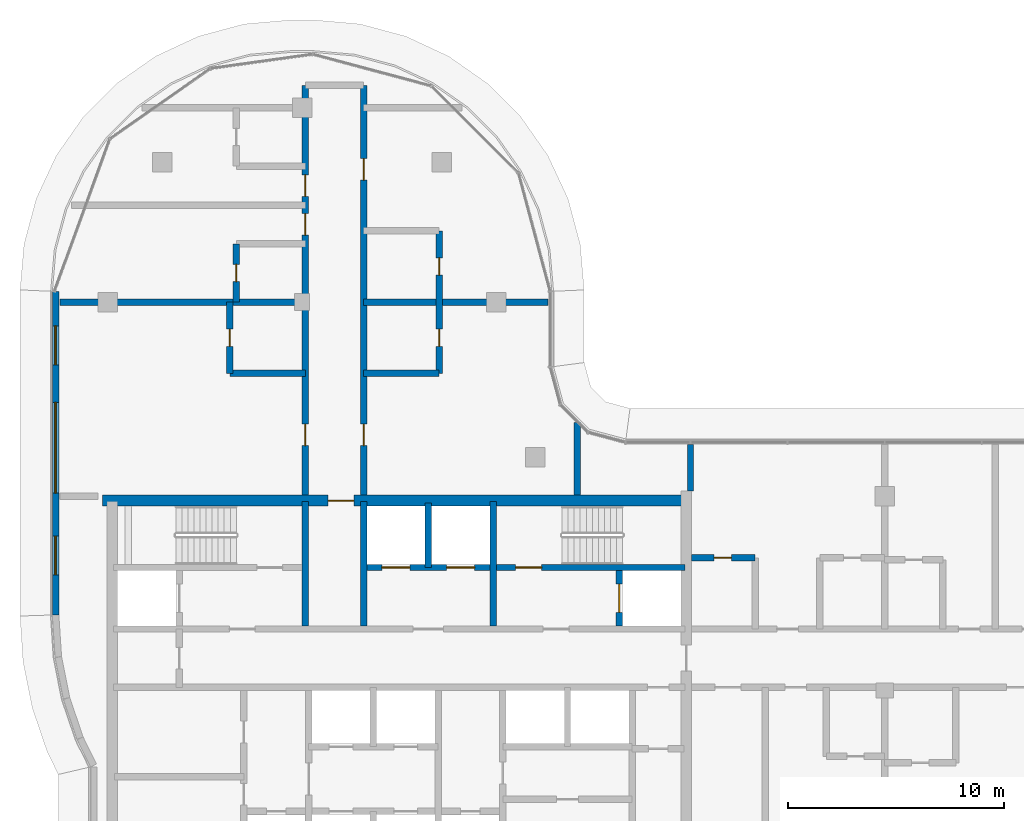
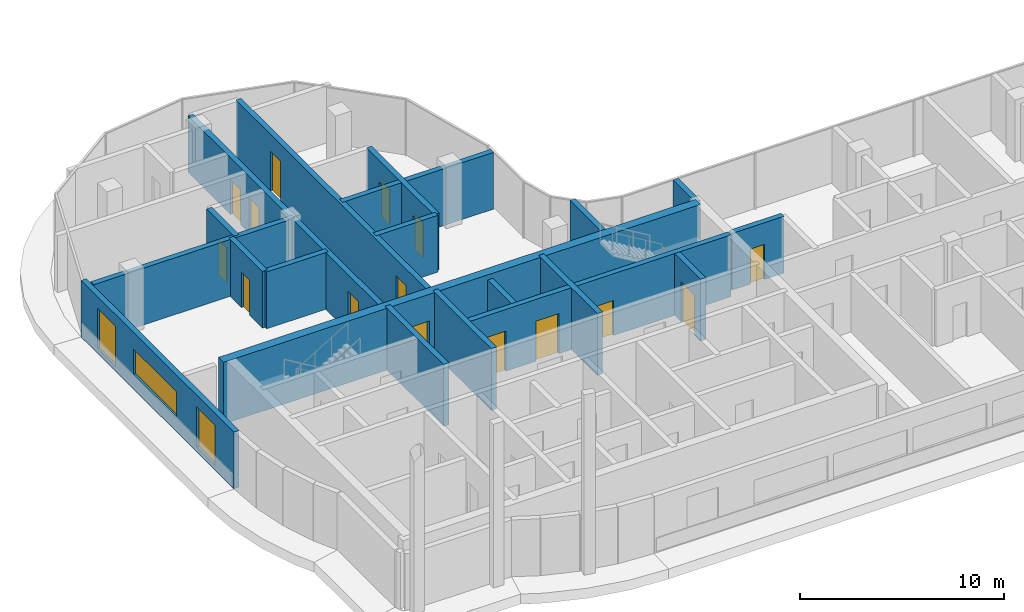
# One storey, part 10 of 20: 20 walls, 15 doors, 3 windows, 18 openings.
"""IFC4 building model written with IfcOpenShell, lengths in metres."""

from ifc_helpers import new_model, si_unit, direction, frame, frame_2d, origin, place, context, subcontext, project, spatial, rectangle, extrude, material, layer, layer_set, type_object, element, fill, save


model = new_model("IFC4")

# Units and contexts
model_context = context("Model", 3, precision=1e-05, world=origin(), true_north=direction((0.0, 1.0)))
body_context = subcontext(model_context, "Body", "Model", "MODEL_VIEW")
ifc_project = project(units=[si_unit("LENGTHUNIT", "METRE"), si_unit("AREAUNIT", "SQUARE_METRE"), si_unit("VOLUMEUNIT", "CUBIC_METRE"), si_unit("PLANEANGLEUNIT", "RADIAN"), si_unit("MASSUNIT", "GRAM", prefix="KILO")], contexts=[model_context])

# Site, building, storey
site_placement = place(None, origin())
site = spatial("IfcSite", under=ifc_project, at=site_placement, CompositionType="ELEMENT")
building_placement = place(site_placement, origin())
building = spatial("IfcBuilding", under=site, at=building_placement, Name="Ogive Portal Towers", CompositionType="ELEMENT")
storey_placement = place(building_placement, frame((0.0, 0.0, 232.800048828125)))
storey = spatial("IfcBuildingStorey", under=building, at=storey_placement, Name="L58", CompositionType="ELEMENT", Elevation=232.800048828125)

# Wall, openings, doors
ifc_material_1 = material(Name="Concrete C60/75", Category="concrete")
ifc_layer_1 = layer(ifc_material_1, 0.300048828125)
ifc_layer_set_1 = layer_set([ifc_layer_1], Name="CORE WALL 300 C60")
wall_type_1 = type_object("IfcWallType", Name="CORE WALL 300 C60", PredefinedType="SHEAR", material=ifc_layer_set_1)
wall_1_placement = place(storey_placement, frame((43.5, 36.199951171875, 0.0), z_axis=(0.0, 0.0, 1.0), x_axis=(1.0, 0.0, 0.0)))
wall_1 = element("IfcWall", 1, at=wall_1_placement, inside=storey, type_object=wall_type_1, Name="Core wall Y3b L58", PredefinedType="SHEAR", context=body_context, shape_type="SweptSolid", body=[
    extrude(rectangle(XDim=14.75, YDim=0.300048828125, at=frame_2d((7.375, 0.0))), origin(), (0.0, 0.0, 1.0), 3.699951171875),
])
opening_1_placement = place(wall_1_placement, frame((6.89990234375, 0.0, 0.0)))
opening_1 = element("IfcOpeningElement", 2, at=opening_1_placement, cuts=wall_1, Name="Opening D26-006", PredefinedType="OPENING", context=body_context, shape_type="SweptSolid", body=[
    extrude(rectangle(XDim=1.199951171875, YDim=2.10009765625, at=frame_2d((0.60009765625, 1.050048828125))), frame((0.0, 0.16015625, 0.0), z_axis=(0.0, -1.0, 0.0), x_axis=(1.0, 0.0, 0.0)), (0.0, 0.0, 1.0), 0.320068359375),
])
opening_2_placement = place(wall_1_placement, frame((0.699951171875, 0.0, 0.0)))
opening_2 = element("IfcOpeningElement", 3, at=opening_2_placement, cuts=wall_1, Name="Opening D26-017", PredefinedType="OPENING", context=body_context, shape_type="SweptSolid", body=[
    extrude(rectangle(XDim=1.300048828125, YDim=2.39990234375, at=frame_2d((0.64990234375, 1.199951171875))), frame((0.0, 0.16015625, 0.0), z_axis=(0.0, -1.0, 0.0), x_axis=(1.0, 0.0, 0.0)), (0.0, 0.0, 1.0), 0.320068359375),
])
opening_3_placement = place(wall_1_placement, frame((3.699951171875, 0.0, 0.0)))
opening_3 = element("IfcOpeningElement", 4, at=opening_3_placement, cuts=wall_1, Name="Opening D26-018", PredefinedType="OPENING", context=body_context, shape_type="SweptSolid", body=[
    extrude(rectangle(XDim=1.300048828125, YDim=2.39990234375, at=frame_2d((0.64990234375, 1.199951171875))), frame((0.0, 0.16015625, 0.0), z_axis=(0.0, -1.0, 0.0), x_axis=(1.0, 0.0, 0.0)), (0.0, 0.0, 1.0), 0.320068359375),
])
ifc_material_2 = material(Name="Stainless steel", Category="steel")
door_type_1 = type_object("IfcDoorType", Name="DT-LD-1300x2400", OperationType="SLIDING_TO_LEFT", PredefinedType="DOOR", material=ifc_material_2)
door_1_placement = place(opening_2_placement, origin())
door_1 = element("IfcDoor", 5, at=door_1_placement, inside=storey, type_object=door_type_1, Name="Door D26-017", OperationType="SLIDING_TO_LEFT", OverallHeight=2.39990234375, OverallWidth=1.300048828125, PredefinedType="DOOR", context=body_context, shape_type="SweptSolid", body=[
    extrude(rectangle(XDim=1.300048828125, YDim=2.39990234375, at=frame_2d((0.64990234375, 1.199951171875))), frame((0.0, 0.02490234375, 0.0), z_axis=(0.0, -1.0, 0.0), x_axis=(1.0, 0.0, 0.0)), (0.0, 0.0, 1.0), 0.050048828125),
])
fill(opening_2, door_1)
door_2_placement = place(opening_3_placement, origin())
door_2 = element("IfcDoor", 6, at=door_2_placement, inside=storey, type_object=door_type_1, Name="Door D26-018", OperationType="SLIDING_TO_LEFT", OverallHeight=2.39990234375, OverallWidth=1.300048828125, PredefinedType="DOOR", context=body_context, shape_type="SweptSolid", body=[
    extrude(rectangle(XDim=1.300048828125, YDim=2.39990234375, at=frame_2d((0.64990234375, 1.199951171875))), frame((0.0, 0.02490234375, 0.0), z_axis=(0.0, -1.0, 0.0), x_axis=(1.0, 0.0, 0.0)), (0.0, 0.0, 1.0), 0.050048828125),
])
fill(opening_3, door_2)
ifc_material_3 = material(Name="Steel fire door", Category="steel")
door_type_2 = type_object("IfcDoorType", Name="DT-SWING-1200x2100-FD90S", OperationType="SINGLE_SWING_LEFT", PredefinedType="DOOR", material=ifc_material_3)
door_3_placement = place(opening_1_placement, origin())
door_3 = element("IfcDoor", 7, at=door_3_placement, inside=storey, type_object=door_type_2, Name="Door D26-006", OperationType="SINGLE_SWING_LEFT", OverallHeight=2.10009765625, OverallWidth=1.199951171875, PredefinedType="DOOR", context=body_context, shape_type="SweptSolid", body=[
    extrude(rectangle(XDim=1.199951171875, YDim=2.10009765625, at=frame_2d((0.60009765625, 1.050048828125))), frame((0.0, 0.02490234375, 0.0), z_axis=(0.0, -1.0, 0.0), x_axis=(1.0, 0.0, 0.0)), (0.0, 0.0, 1.0), 0.050048828125),
])
fill(opening_1, door_3)

# Walls
for number, where, z_axis, x_axis, name in (
    (8, (40.64990234375, 33.5, 0.0), (0.0, 0.0, 1.0), (0.0, 1.0, 0.0), "Core wall X6 L58"),
    (9, (43.35009765625, 33.5, 0.0), (0.0, 0.0, 1.0), (0.0, 1.0, 0.0), "Core wall X7 L58"),
    (10, (49.35009765625, 33.5, 0.0), (0.0, 0.0, 1.0), (0.0, 1.0, 0.0), "Core wall X9 L58"),
):
    element("IfcWall", number, at=place(storey_placement, frame(where, z_axis=z_axis, x_axis=x_axis)), inside=storey, type_object=wall_type_1, Name=name, PredefinedType="SHEAR", context=body_context, shape_type="SweptSolid", body=[
        extrude(rectangle(XDim=5.75, YDim=0.300048828125, at=frame_2d((2.875, 0.0))), origin(), (0.0, 0.0, 1.0), 3.699951171875),
    ])

# Wall, opening, door
wall_2_placement = place(storey_placement, frame((55.199951171875, 33.5, 0.0), z_axis=(0.0, 0.0, 1.0), x_axis=(0.0, 1.0, 0.0)))
wall_2 = element("IfcWall", 11, at=wall_2_placement, inside=storey, type_object=wall_type_1, Name="Core wall X10 L58", PredefinedType="SHEAR", context=body_context, shape_type="SweptSolid", body=[
    extrude(rectangle(XDim=2.550048828125, YDim=0.300048828125, at=frame_2d((1.27490234375, 0.0))), origin(), (0.0, 0.0, 1.0), 3.699951171875),
])
opening_4_placement = place(wall_2_placement, frame((0.625, 0.0, 0.0)))
opening_4 = element("IfcOpeningElement", 12, at=opening_4_placement, cuts=wall_2, Name="Opening D26-020", PredefinedType="OPENING", context=body_context, shape_type="SweptSolid", body=[
    extrude(rectangle(XDim=1.300048828125, YDim=2.39990234375, at=frame_2d((0.64990234375, 1.199951171875))), frame((0.0, 0.16015625, 0.0), z_axis=(0.0, -1.0, 0.0), x_axis=(1.0, 0.0, 0.0)), (0.0, 0.0, 1.0), 0.320068359375),
])
door_4_placement = place(opening_4_placement, origin())
door_4 = element("IfcDoor", 13, at=door_4_placement, inside=storey, type_object=door_type_1, Name="Door D26-020", OperationType="SLIDING_TO_LEFT", OverallHeight=2.39990234375, OverallWidth=1.300048828125, PredefinedType="DOOR", context=body_context, shape_type="SweptSolid", body=[
    extrude(rectangle(XDim=1.300048828125, YDim=2.39990234375, at=frame_2d((0.64990234375, 1.199951171875))), frame((0.0, 0.02490234375, 0.0), z_axis=(0.0, -1.0, 0.0), x_axis=(1.0, 0.0, 0.0)), (0.0, 0.0, 1.0), 0.050048828125),
])
fill(opening_4, door_4)

ifc_layer_2 = layer(ifc_material_1, 0.5)
ifc_layer_set_2 = layer_set([ifc_layer_2], Name="CORE WALL 500 C60")
wall_type_2 = type_object("IfcWallType", Name="CORE WALL 500 C60", PredefinedType="SHEAR", material=ifc_layer_set_2)
wall_3_placement = place(storey_placement, frame((31.25, 39.300048828125, 0.0), z_axis=(0.0, 0.0, 1.0), x_axis=(1.0, 0.0, 0.0)))
wall_3 = element("IfcWall", 14, at=wall_3_placement, inside=storey, type_object=wall_type_2, Name="Core wall N L58", PredefinedType="SHEAR", context=body_context, shape_type="SweptSolid", body=[
    extrude(rectangle(XDim=27.0, YDim=0.5, at=frame_2d((13.5, 0.0))), origin(), (0.0, 0.0, 1.0), 3.699951171875),
])
opening_5_placement = place(wall_3_placement, frame((10.449951171875, 0.0, 0.0)))
opening_5 = element("IfcOpeningElement", 15, at=opening_5_placement, cuts=wall_3, Name="Opening D26-012", PredefinedType="OPENING", context=body_context, shape_type="SweptSolid", body=[
    extrude(rectangle(XDim=1.199951171875, YDim=2.10009765625, at=frame_2d((0.60009765625, 1.050048828125))), frame((0.0, 0.260009765625, 0.0), z_axis=(0.0, -1.0, 0.0), x_axis=(1.0, 0.0, 0.0)), (0.0, 0.0, 1.0), 0.52001953125),
])
door_5_placement = place(opening_5_placement, origin())
door_5 = element("IfcDoor", 16, at=door_5_placement, inside=storey, type_object=door_type_2, Name="Door D26-012", OperationType="SINGLE_SWING_RIGHT", OverallHeight=2.10009765625, OverallWidth=1.199951171875, PredefinedType="DOOR", context=body_context, shape_type="SweptSolid", body=[
    extrude(rectangle(XDim=1.199951171875, YDim=2.10009765625, at=frame_2d((0.60009765625, 1.050048828125))), frame((0.0, 0.02490234375, 0.0), z_axis=(0.0, -1.0, 0.0), x_axis=(1.0, 0.0, 0.0)), (0.0, 0.0, 1.0), 0.050048828125),
])
fill(opening_5, door_5)

# Wall, openings, windows
ifc_material_4 = material(Name="Limestone cladding on lightweight block wall", Category="masonry")
ifc_layer_3 = layer(ifc_material_4, 0.300048828125)
ifc_layer_set_3 = layer_set([ifc_layer_3], Name="EXTERNAL WALL 300 STONE")
wall_type_3 = type_object("IfcWallType", Name="EXTERNAL WALL 300 STONE", PredefinedType="SOLIDWALL", material=ifc_layer_set_3)
wall_4_placement = place(storey_placement, frame((29.074951171875, 48.98583984375, 0.0), z_axis=(0.0, 0.0, 1.0), x_axis=(0.0, -1.0, 0.0)))
wall_4 = element("IfcWall", 17, at=wall_4_placement, inside=storey, type_object=wall_type_3, Name="A:L58:f27:r0:wall", PredefinedType="SOLIDWALL", context=body_context, shape_type="SweptSolid", body=[
    extrude(rectangle(XDim=14.97607421875, YDim=0.300048828125, at=frame_2d((7.488037109375, 0.0))), origin(), (0.0, 0.0, 1.0), 3.39990234375),
])
opening_6_placement = place(wall_4_placement, frame((1.593017578125, 0.0, 0.300048828125)))
opening_6 = element("IfcOpeningElement", 18, at=opening_6_placement, cuts=wall_4, Name="Opening WN10", PredefinedType="OPENING", context=body_context, shape_type="SweptSolid", body=[
    extrude(rectangle(XDim=1.800048828125, YDim=2.39990234375, at=frame_2d((0.89990234375, 1.199951171875))), frame((0.0, 0.16015625, 0.0), z_axis=(0.0, -1.0, 0.0), x_axis=(1.0, 0.0, 0.0)), (0.0, 0.0, 1.0), 0.320068359375),
])
opening_7_placement = place(wall_4_placement, frame((5.135986328125, 0.0, 0.89990234375)))
opening_7 = element("IfcOpeningElement", 19, at=opening_7_placement, cuts=wall_4, Name="Opening WN11", PredefinedType="OPENING", context=body_context, shape_type="SweptSolid", body=[
    extrude(rectangle(XDim=4.199951171875, YDim=1.5, at=frame_2d((2.10009765625, 0.75))), frame((0.0, 0.16015625, 0.0), z_axis=(0.0, -1.0, 0.0), x_axis=(1.0, 0.0, 0.0)), (0.0, 0.0, 1.0), 0.320068359375),
])
opening_8_placement = place(wall_4_placement, frame((11.3310546875, 0.0, 0.300048828125)))
opening_8 = element("IfcOpeningElement", 20, at=opening_8_placement, cuts=wall_4, Name="Opening WN10", PredefinedType="OPENING", context=body_context, shape_type="SweptSolid", body=[
    extrude(rectangle(XDim=1.800048828125, YDim=2.39990234375, at=frame_2d((0.89990234375, 1.199951171875))), frame((0.0, 0.16015625, 0.0), z_axis=(0.0, -1.0, 0.0), x_axis=(1.0, 0.0, 0.0)), (0.0, 0.0, 1.0), 0.320068359375),
])
ifc_material_5 = material(Name="Glass, clear low-iron insulated glazing", Category="glass")
window_type_1 = type_object("IfcWindowType", Name="WINDOW RIBBON 4200x1500", PartitioningType="TRIPLE_PANEL_VERTICAL", PredefinedType="WINDOW", material=ifc_material_5)
window_1_placement = place(opening_7_placement, origin())
window_1 = element("IfcWindow", 21, at=window_1_placement, inside=storey, type_object=window_type_1, Name="A:L58:f27:r0:w1", OverallHeight=1.5, OverallWidth=4.199951171875, PartitioningType="SINGLE_PANEL", PredefinedType="WINDOW", context=body_context, shape_type="SweptSolid", body=[
    extrude(rectangle(XDim=4.199951171875, YDim=1.5, at=frame_2d((2.10009765625, 0.75))), frame((0.0, 0.030029296875, 0.0), z_axis=(0.0, -1.0, 0.0), x_axis=(1.0, 0.0, 0.0)), (0.0, 0.0, 1.0), 0.06005859375),
])
fill(opening_7, window_1)
window_type_2 = type_object("IfcWindowType", Name="WINDOW SUITE CORNER 1800x2400", PartitioningType="DOUBLE_PANEL_VERTICAL", PredefinedType="WINDOW", material=ifc_material_5)
window_2_placement = place(opening_6_placement, origin())
window_2 = element("IfcWindow", 22, at=window_2_placement, inside=storey, type_object=window_type_2, Name="A:L58:f27:r0:w0", OverallHeight=2.39990234375, OverallWidth=1.800048828125, PartitioningType="SINGLE_PANEL", PredefinedType="WINDOW", context=body_context, shape_type="SweptSolid", body=[
    extrude(rectangle(XDim=1.800048828125, YDim=2.39990234375, at=frame_2d((0.89990234375, 1.199951171875))), frame((0.0, 0.030029296875, 0.0), z_axis=(0.0, -1.0, 0.0), x_axis=(1.0, 0.0, 0.0)), (0.0, 0.0, 1.0), 0.06005859375),
])
fill(opening_6, window_2)
window_3_placement = place(opening_8_placement, origin())
window_3 = element("IfcWindow", 23, at=window_3_placement, inside=storey, type_object=window_type_2, Name="A:L58:f27:r0:w2", OverallHeight=2.39990234375, OverallWidth=1.800048828125, PartitioningType="SINGLE_PANEL", PredefinedType="WINDOW", context=body_context, shape_type="SweptSolid", body=[
    extrude(rectangle(XDim=1.800048828125, YDim=2.39990234375, at=frame_2d((0.89990234375, 1.199951171875))), frame((0.0, 0.030029296875, 0.0), z_axis=(0.0, -1.0, 0.0), x_axis=(1.0, 0.0, 0.0)), (0.0, 0.0, 1.0), 0.06005859375),
])
fill(opening_8, window_3)

# Wall, opening, door
ifc_material_6 = material(Name="Gypsum board partition on steel studs", Category="steel")
ifc_layer_4 = layer(ifc_material_6, 0.300048828125)
ifc_layer_set_4 = layer_set([ifc_layer_4], Name="WT-PART-300-EI 60")
wall_type_4 = type_object("IfcWallType", Name="WT-PART-300-EI 60", PredefinedType="PARTITIONING", material=ifc_layer_set_4)
wall_5_placement = place(storey_placement, frame((58.550048828125, 36.64990234375, 0.0), z_axis=(0.0, 0.0, 1.0), x_axis=(1.0, 0.0, 0.0)))
wall_5 = element("IfcWall", 24, at=wall_5_placement, inside=storey, type_object=wall_type_4, Name="Wall L58:w011", PredefinedType="PARTITIONING", context=body_context, shape_type="SweptSolid", body=[
    extrude(rectangle(XDim=2.949951171875, YDim=0.300048828125, at=frame_2d((1.47509765625, 0.0))), origin(), (0.0, 0.0, 1.0), 3.39990234375),
])
opening_9_placement = place(wall_5_placement, frame((1.050048828125, 0.0, 0.0)))
opening_9 = element("IfcOpeningElement", 25, at=opening_9_placement, cuts=wall_5, Name="Opening D26-026", PredefinedType="OPENING", context=body_context, shape_type="SweptSolid", body=[
    extrude(rectangle(XDim=0.800048828125, YDim=2.10009765625, at=frame_2d((0.39990234375, 1.050048828125))), frame((0.0, 0.16015625, 0.0), z_axis=(0.0, -1.0, 0.0), x_axis=(1.0, 0.0, 0.0)), (0.0, 0.0, 1.0), 0.320068359375),
])
door_type_3 = type_object("IfcDoorType", Name="DT-BATH-800x2100-FD60S", OperationType="SINGLE_SWING_LEFT", PredefinedType="DOOR", material=ifc_material_3)
door_6_placement = place(opening_9_placement, origin())
door_6 = element("IfcDoor", 26, at=door_6_placement, inside=storey, type_object=door_type_3, Name="Door D26-026", OperationType="SINGLE_SWING_LEFT", OverallHeight=2.10009765625, OverallWidth=0.800048828125, PredefinedType="DOOR", context=body_context, shape_type="SweptSolid", body=[
    extrude(rectangle(XDim=0.800048828125, YDim=2.10009765625, at=frame_2d((0.39990234375, 1.050048828125))), frame((0.0, 0.02490234375, 0.0), z_axis=(0.0, -1.0, 0.0), x_axis=(1.0, 0.0, 0.0)), (0.0, 0.0, 1.0), 0.050048828125),
])
fill(opening_9, door_6)

# Walls
for number, where, z_axis, x_axis, name in (
    (27, (37.14990234375, 45.199951171875, 0.0), (0.0, 0.0, 1.0), (1.0, 0.0, 0.0), "Wall L58:w015"),
    (28, (43.35009765625, 45.199951171875, 0.0), (0.0, 0.0, 1.0), (1.0, 0.0, 0.0), "Wall L58:w016"),
):
    element("IfcWall", number, at=place(storey_placement, frame(where, z_axis=z_axis, x_axis=x_axis)), inside=storey, type_object=wall_type_4, Name=name, PredefinedType="PARTITIONING", context=body_context, shape_type="SweptSolid", body=[
        extrude(rectangle(XDim=3.5, YDim=0.300048828125, at=frame_2d((1.75, 0.0))), origin(), (0.0, 0.0, 1.0), 3.39990234375),
    ])
wall_6_placement = place(storey_placement, frame((29.27490234375, 48.5, 0.0), z_axis=(0.0, 0.0, 1.0), x_axis=(1.0, 0.0, 0.0)))
element("IfcWall", 29, at=wall_6_placement, inside=storey, type_object=wall_type_4, Name="Wall L58:w017", PredefinedType="PARTITIONING", context=body_context, shape_type="SweptSolid", body=[
    extrude(rectangle(XDim=11.375, YDim=0.300048828125, at=frame_2d((5.6875, 0.0))), origin(), (0.0, 0.0, 1.0), 3.39990234375),
])
wall_7_placement = place(storey_placement, frame((43.35009765625, 48.5, 0.0), z_axis=(0.0, 0.0, 1.0), x_axis=(1.0, 0.0, 0.0)))
element("IfcWall", 30, at=wall_7_placement, inside=storey, type_object=wall_type_4, Name="Wall L58:w018", PredefinedType="PARTITIONING", context=body_context, shape_type="SweptSolid", body=[
    extrude(rectangle(XDim=8.554931640625, YDim=0.300048828125, at=frame_2d((4.27734375, 0.0))), origin(), (0.0, 0.0, 1.0), 3.39990234375),
])

# Wall, opening, door
wall_8_placement = place(storey_placement, frame((37.14990234375, 45.199951171875, 0.0), z_axis=(0.0, 0.0, 1.0), x_axis=(0.0, 1.0, 0.0)))
wall_8 = element("IfcWall", 31, at=wall_8_placement, inside=storey, type_object=wall_type_4, Name="Wall L58:w026", PredefinedType="PARTITIONING", context=body_context, shape_type="SweptSolid", body=[
    extrude(rectangle(XDim=3.300048828125, YDim=0.300048828125, at=frame_2d((1.64990234375, 0.0))), origin(), (0.0, 0.0, 1.0), 3.39990234375),
])
opening_10_placement = place(wall_8_placement, frame((1.25, 0.0, 0.0)))
opening_10 = element("IfcOpeningElement", 32, at=opening_10_placement, cuts=wall_8, Name="Opening D26-044", PredefinedType="OPENING", context=body_context, shape_type="SweptSolid", body=[
    extrude(rectangle(XDim=0.800048828125, YDim=2.10009765625, at=frame_2d((0.39990234375, 1.050048828125))), frame((0.0, 0.16015625, 0.0), z_axis=(0.0, -1.0, 0.0), x_axis=(1.0, 0.0, 0.0)), (0.0, 0.0, 1.0), 0.320068359375),
])
door_7_placement = place(opening_10_placement, origin())
door_7 = element("IfcDoor", 33, at=door_7_placement, inside=storey, type_object=door_type_3, Name="Door D26-044", OperationType="SINGLE_SWING_LEFT", OverallHeight=2.10009765625, OverallWidth=0.800048828125, PredefinedType="DOOR", context=body_context, shape_type="SweptSolid", body=[
    extrude(rectangle(XDim=0.800048828125, YDim=2.10009765625, at=frame_2d((0.39990234375, 1.050048828125))), frame((0.0, 0.02490234375, 0.0), z_axis=(0.0, -1.0, 0.0), x_axis=(1.0, 0.0, 0.0)), (0.0, 0.0, 1.0), 0.050048828125),
])
fill(opening_10, door_7)

wall_9_placement = place(storey_placement, frame((37.449951171875, 48.5, 0.0), z_axis=(0.0, 0.0, 1.0), x_axis=(0.0, 1.0, 0.0)))
wall_9 = element("IfcWall", 34, at=wall_9_placement, inside=storey, type_object=wall_type_4, Name="Wall L58:w027", PredefinedType="PARTITIONING", context=body_context, shape_type="SweptSolid", body=[
    extrude(rectangle(XDim=2.699951171875, YDim=0.300048828125, at=frame_2d((1.35009765625, 0.0))), origin(), (0.0, 0.0, 1.0), 3.39990234375),
])
opening_11_placement = place(wall_9_placement, frame((0.949951171875, 0.0, 0.0)))
opening_11 = element("IfcOpeningElement", 35, at=opening_11_placement, cuts=wall_9, Name="Opening D26-048", PredefinedType="OPENING", context=body_context, shape_type="SweptSolid", body=[
    extrude(rectangle(XDim=0.800048828125, YDim=2.10009765625, at=frame_2d((0.39990234375, 1.050048828125))), frame((0.0, 0.16015625, 0.0), z_axis=(0.0, -1.0, 0.0), x_axis=(1.0, 0.0, 0.0)), (0.0, 0.0, 1.0), 0.320068359375),
])
door_8_placement = place(opening_11_placement, origin())
door_8 = element("IfcDoor", 36, at=door_8_placement, inside=storey, type_object=door_type_3, Name="Door D26-048", OperationType="SINGLE_SWING_RIGHT", OverallHeight=2.10009765625, OverallWidth=0.800048828125, PredefinedType="DOOR", context=body_context, shape_type="SweptSolid", body=[
    extrude(rectangle(XDim=0.800048828125, YDim=2.10009765625, at=frame_2d((0.39990234375, 1.050048828125))), frame((0.0, 0.02490234375, 0.0), z_axis=(0.0, -1.0, 0.0), x_axis=(1.0, 0.0, 0.0)), (0.0, 0.0, 1.0), 0.050048828125),
])
fill(opening_11, door_8)

# Wall, openings, doors
wall_10_placement = place(storey_placement, frame((40.64990234375, 39.550048828125, 0.0), z_axis=(0.0, 0.0, 1.0), x_axis=(0.0, 1.0, 0.0)))
wall_10 = element("IfcWall", 37, at=wall_10_placement, inside=storey, type_object=wall_type_4, Name="Wall L58:w029", PredefinedType="PARTITIONING", context=body_context, shape_type="SweptSolid", body=[
    extrude(rectangle(XDim=19.0, YDim=0.300048828125, at=frame_2d((9.5, 0.0))), origin(), (0.0, 0.0, 1.0), 3.39990234375),
])
opening_12_placement = place(wall_10_placement, frame((2.300048828125, 0.0, 0.0)))
opening_12 = element("IfcOpeningElement", 38, at=opening_12_placement, cuts=wall_10, Name="Opening D26-045", PredefinedType="OPENING", context=body_context, shape_type="SweptSolid", body=[
    extrude(rectangle(XDim=1.0, YDim=2.39990234375, at=frame_2d((0.5, 1.199951171875))), frame((0.0, 0.16015625, 0.0), z_axis=(0.0, -1.0, 0.0), x_axis=(1.0, 0.0, 0.0)), (0.0, 0.0, 1.0), 0.320068359375),
])
opening_13_placement = place(wall_10_placement, frame((12.050048828125, 0.0, 0.0)))
opening_13 = element("IfcOpeningElement", 39, at=opening_13_placement, cuts=wall_10, Name="Opening D26-049", PredefinedType="OPENING", context=body_context, shape_type="SweptSolid", body=[
    extrude(rectangle(XDim=1.0, YDim=2.10009765625, at=frame_2d((0.5, 1.050048828125))), frame((0.0, 0.16015625, 0.0), z_axis=(0.0, -1.0, 0.0), x_axis=(1.0, 0.0, 0.0)), (0.0, 0.0, 1.0), 0.320068359375),
])
opening_14_placement = place(wall_10_placement, frame((13.85009765625, 0.0, 0.0)))
opening_14 = element("IfcOpeningElement", 40, at=opening_14_placement, cuts=wall_10, Name="Opening D26-051", PredefinedType="OPENING", context=body_context, shape_type="SweptSolid", body=[
    extrude(rectangle(XDim=1.0, YDim=2.10009765625, at=frame_2d((0.5, 1.050048828125))), frame((0.0, 0.16015625, 0.0), z_axis=(0.0, -1.0, 0.0), x_axis=(1.0, 0.0, 0.0)), (0.0, 0.0, 1.0), 0.320068359375),
])
door_type_4 = type_object("IfcDoorType", Name="DT-ENTRY-1000x2100-FD60S", OperationType="SINGLE_SWING_LEFT", PredefinedType="DOOR", material=ifc_material_3)
door_9_placement = place(opening_13_placement, origin())
door_9 = element("IfcDoor", 41, at=door_9_placement, inside=storey, type_object=door_type_4, Name="Door D26-049", OperationType="SINGLE_SWING_LEFT", OverallHeight=2.10009765625, OverallWidth=1.0, PredefinedType="DOOR", context=body_context, shape_type="SweptSolid", body=[
    extrude(rectangle(XDim=1.0, YDim=2.10009765625, at=frame_2d((0.5, 1.050048828125))), frame((0.0, 0.02490234375, 0.0), z_axis=(0.0, -1.0, 0.0), x_axis=(1.0, 0.0, 0.0)), (0.0, 0.0, 1.0), 0.050048828125),
])
fill(opening_13, door_9)
door_10_placement = place(opening_14_placement, origin())
door_10 = element("IfcDoor", 42, at=door_10_placement, inside=storey, type_object=door_type_4, Name="Door D26-051", OperationType="SINGLE_SWING_LEFT", OverallHeight=2.10009765625, OverallWidth=1.0, PredefinedType="DOOR", context=body_context, shape_type="SweptSolid", body=[
    extrude(rectangle(XDim=1.0, YDim=2.10009765625, at=frame_2d((0.5, 1.050048828125))), frame((0.0, 0.02490234375, 0.0), z_axis=(0.0, -1.0, 0.0), x_axis=(1.0, 0.0, 0.0)), (0.0, 0.0, 1.0), 0.050048828125),
])
fill(opening_14, door_10)
door_type_5 = type_object("IfcDoorType", Name="DT-ENTRY-1000x2400-FD60S", OperationType="SINGLE_SWING_LEFT", PredefinedType="DOOR", material=ifc_material_3)
door_11_placement = place(opening_12_placement, origin())
door_11 = element("IfcDoor", 43, at=door_11_placement, inside=storey, type_object=door_type_5, Name="Door D26-045", OperationType="SINGLE_SWING_LEFT", OverallHeight=2.39990234375, OverallWidth=1.0, PredefinedType="DOOR", context=body_context, shape_type="SweptSolid", body=[
    extrude(rectangle(XDim=1.0, YDim=2.39990234375, at=frame_2d((0.5, 1.199951171875))), frame((0.0, 0.02490234375, 0.0), z_axis=(0.0, -1.0, 0.0), x_axis=(1.0, 0.0, 0.0)), (0.0, 0.0, 1.0), 0.050048828125),
])
fill(opening_12, door_11)

wall_11_placement = place(storey_placement, frame((43.35009765625, 39.550048828125, 0.0), z_axis=(0.0, 0.0, 1.0), x_axis=(0.0, 1.0, 0.0)))
wall_11 = element("IfcWall", 44, at=wall_11_placement, inside=storey, type_object=wall_type_4, Name="Wall L58:w030", PredefinedType="PARTITIONING", context=body_context, shape_type="SweptSolid", body=[
    extrude(rectangle(XDim=19.0, YDim=0.300048828125, at=frame_2d((9.5, 0.0))), origin(), (0.0, 0.0, 1.0), 3.39990234375),
])
opening_15_placement = place(wall_11_placement, frame((2.300048828125, 0.0, 0.0)))
opening_15 = element("IfcOpeningElement", 45, at=opening_15_placement, cuts=wall_11, Name="Opening D26-043", PredefinedType="OPENING", context=body_context, shape_type="SweptSolid", body=[
    extrude(rectangle(XDim=1.0, YDim=2.39990234375, at=frame_2d((0.5, 1.199951171875))), frame((0.0, 0.16015625, 0.0), z_axis=(0.0, -1.0, 0.0), x_axis=(1.0, 0.0, 0.0)), (0.0, 0.0, 1.0), 0.320068359375),
])
opening_16_placement = place(wall_11_placement, frame((14.60009765625, 0.0, 0.0)))
opening_16 = element("IfcOpeningElement", 46, at=opening_16_placement, cuts=wall_11, Name="Opening D26-047", PredefinedType="OPENING", context=body_context, shape_type="SweptSolid", body=[
    extrude(rectangle(XDim=1.0, YDim=2.39990234375, at=frame_2d((0.5, 1.199951171875))), frame((0.0, 0.16015625, 0.0), z_axis=(0.0, -1.0, 0.0), x_axis=(1.0, 0.0, 0.0)), (0.0, 0.0, 1.0), 0.320068359375),
])
door_12_placement = place(opening_15_placement, origin())
door_12 = element("IfcDoor", 47, at=door_12_placement, inside=storey, type_object=door_type_5, Name="Door D26-043", OperationType="SINGLE_SWING_LEFT", OverallHeight=2.39990234375, OverallWidth=1.0, PredefinedType="DOOR", context=body_context, shape_type="SweptSolid", body=[
    extrude(rectangle(XDim=1.0, YDim=2.39990234375, at=frame_2d((0.5, 1.199951171875))), frame((0.0, 0.02490234375, 0.0), z_axis=(0.0, -1.0, 0.0), x_axis=(1.0, 0.0, 0.0)), (0.0, 0.0, 1.0), 0.050048828125),
])
fill(opening_15, door_12)
door_13_placement = place(opening_16_placement, origin())
door_13 = element("IfcDoor", 48, at=door_13_placement, inside=storey, type_object=door_type_5, Name="Door D26-047", OperationType="SINGLE_SWING_RIGHT", OverallHeight=2.39990234375, OverallWidth=1.0, PredefinedType="DOOR", context=body_context, shape_type="SweptSolid", body=[
    extrude(rectangle(XDim=1.0, YDim=2.39990234375, at=frame_2d((0.5, 1.199951171875))), frame((0.0, 0.02490234375, 0.0), z_axis=(0.0, -1.0, 0.0), x_axis=(1.0, 0.0, 0.0)), (0.0, 0.0, 1.0), 0.050048828125),
])
fill(opening_16, door_13)

wall_12_placement = place(storey_placement, frame((46.85009765625, 45.199951171875, 0.0), z_axis=(0.0, 0.0, 1.0), x_axis=(0.0, 1.0, 0.0)))
wall_12 = element("IfcWall", 49, at=wall_12_placement, inside=storey, type_object=wall_type_4, Name="Wall L58:w031", PredefinedType="PARTITIONING", context=body_context, shape_type="SweptSolid", body=[
    extrude(rectangle(XDim=6.60009765625, YDim=0.300048828125, at=frame_2d((3.300048828125, 0.0))), origin(), (0.0, 0.0, 1.0), 3.39990234375),
])
opening_17_placement = place(wall_12_placement, frame((1.25, 0.0, 0.0)))
opening_17 = element("IfcOpeningElement", 50, at=opening_17_placement, cuts=wall_12, Name="Opening D26-042", PredefinedType="OPENING", context=body_context, shape_type="SweptSolid", body=[
    extrude(rectangle(XDim=0.800048828125, YDim=2.10009765625, at=frame_2d((0.39990234375, 1.050048828125))), frame((0.0, 0.16015625, 0.0), z_axis=(0.0, -1.0, 0.0), x_axis=(1.0, 0.0, 0.0)), (0.0, 0.0, 1.0), 0.320068359375),
])
opening_18_placement = place(wall_12_placement, frame((4.550048828125, 0.0, 0.0)))
opening_18 = element("IfcOpeningElement", 51, at=opening_18_placement, cuts=wall_12, Name="Opening D26-046", PredefinedType="OPENING", context=body_context, shape_type="SweptSolid", body=[
    extrude(rectangle(XDim=0.800048828125, YDim=2.10009765625, at=frame_2d((0.39990234375, 1.050048828125))), frame((0.0, 0.16015625, 0.0), z_axis=(0.0, -1.0, 0.0), x_axis=(1.0, 0.0, 0.0)), (0.0, 0.0, 1.0), 0.320068359375),
])
door_14_placement = place(opening_17_placement, origin())
door_14 = element("IfcDoor", 52, at=door_14_placement, inside=storey, type_object=door_type_3, Name="Door D26-042", OperationType="SINGLE_SWING_RIGHT", OverallHeight=2.10009765625, OverallWidth=0.800048828125, PredefinedType="DOOR", context=body_context, shape_type="SweptSolid", body=[
    extrude(rectangle(XDim=0.800048828125, YDim=2.10009765625, at=frame_2d((0.39990234375, 1.050048828125))), frame((0.0, 0.02490234375, 0.0), z_axis=(0.0, -1.0, 0.0), x_axis=(1.0, 0.0, 0.0)), (0.0, 0.0, 1.0), 0.050048828125),
])
fill(opening_17, door_14)
door_15_placement = place(opening_18_placement, origin())
door_15 = element("IfcDoor", 53, at=door_15_placement, inside=storey, type_object=door_type_3, Name="Door D26-046", OperationType="SINGLE_SWING_LEFT", OverallHeight=2.10009765625, OverallWidth=0.800048828125, PredefinedType="DOOR", context=body_context, shape_type="SweptSolid", body=[
    extrude(rectangle(XDim=0.800048828125, YDim=2.10009765625, at=frame_2d((0.39990234375, 1.050048828125))), frame((0.0, 0.02490234375, 0.0), z_axis=(0.0, -1.0, 0.0), x_axis=(1.0, 0.0, 0.0)), (0.0, 0.0, 1.0), 0.050048828125),
])
fill(opening_18, door_15)

# Walls
wall_13_placement = place(storey_placement, frame((53.25, 39.550048828125, 0.0), z_axis=(0.0, 0.0, 1.0), x_axis=(0.0, 1.0, 0.0)))
element("IfcWall", 54, at=wall_13_placement, inside=storey, type_object=wall_type_4, Name="Wall L58:w032", PredefinedType="PARTITIONING", context=body_context, shape_type="SweptSolid", body=[
    extrude(rectangle(XDim=3.369873046875, YDim=0.300048828125, at=frame_2d((1.68505859375, 0.0))), origin(), (0.0, 0.0, 1.0), 3.39990234375),
])
wall_14_placement = place(storey_placement, frame((58.5, 39.75, 0.0), z_axis=(0.0, 0.0, 1.0), x_axis=(0.0, 1.0, 0.0)))
element("IfcWall", 55, at=wall_14_placement, inside=storey, type_object=wall_type_4, Name="Wall L58:w034", PredefinedType="PARTITIONING", context=body_context, shape_type="SweptSolid", body=[
    extrude(rectangle(XDim=2.155029296875, YDim=0.300048828125, at=frame_2d((1.07763671875, 0.0))), origin(), (0.0, 0.0, 1.0), 3.39990234375),
])
ifc_material_7 = material(Name="Concrete C40/50", Category="concrete")
ifc_layer_5 = layer(ifc_material_7, 0.300048828125)
ifc_layer_set_5 = layer_set([ifc_layer_5], Name="WT-SHAFT-300")
wall_type_5 = type_object("IfcWallType", Name="WT-SHAFT-300", PredefinedType="SOLIDWALL", material=ifc_layer_set_5)
wall_15_placement = place(storey_placement, frame((46.35009765625, 36.199951171875, 0.0), z_axis=(0.0, 0.0, 1.0), x_axis=(0.0, 1.0, 0.0)))
element("IfcWall", 56, at=wall_15_placement, inside=storey, type_object=wall_type_5, Name="Wall pw:010:L58", PredefinedType="SOLIDWALL", context=body_context, shape_type="SweptSolid", body=[
    extrude(rectangle(XDim=3.0, YDim=0.300048828125, at=frame_2d((1.5, 0.0))), origin(), (0.0, 0.0, 1.0), 3.39990234375),
])

save(model, "model.ifc")
